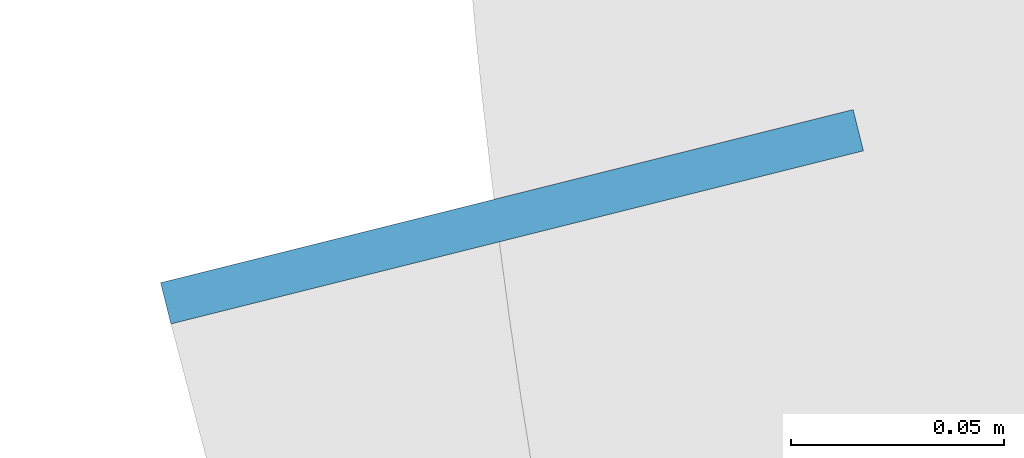
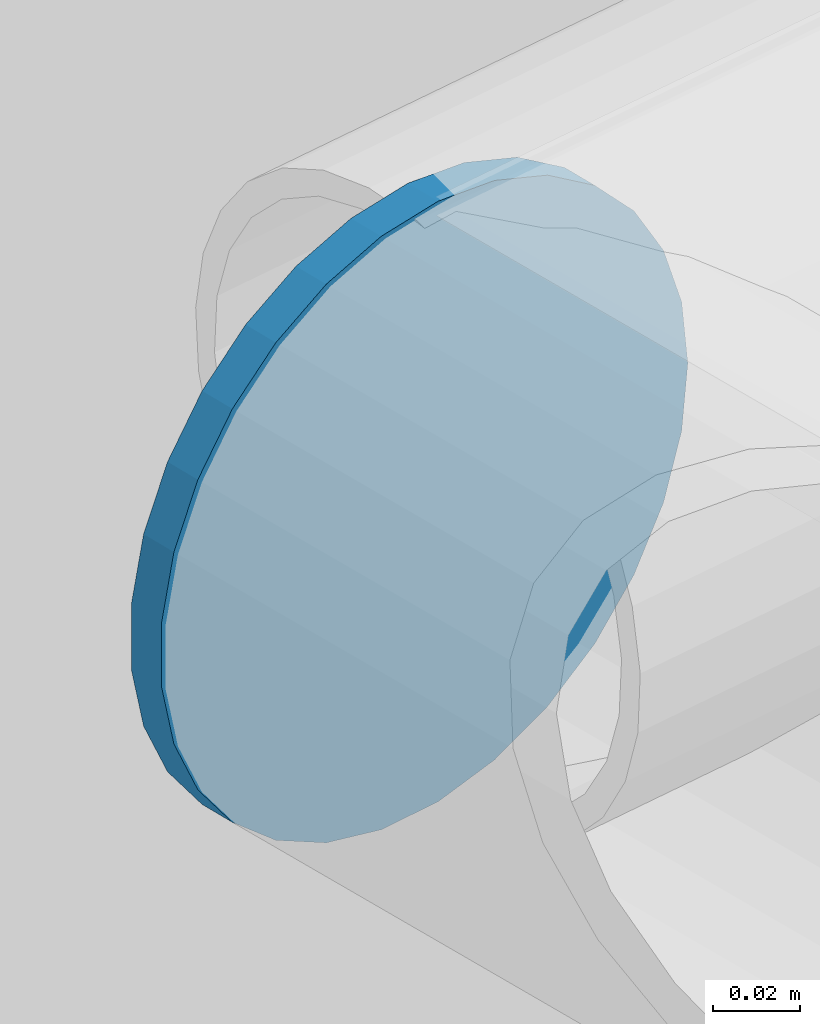
# One storey, part 204 of 226: 1 discrete accessory.
"""IFC4 building model written with IfcOpenShell, lengths in metres."""

from ifc_helpers import new_model, si_unit, direction, frame, origin, origin_2d, place, context, subcontext, project, spatial, circle, extrude, material, material_profile, profile_set, type_object, element, save


model = new_model("IFC4")

# Units and contexts
model_context = context("Model", 3, precision=1e-05, world=origin(), true_north=direction((0.0, 1.0)))
body_context = subcontext(model_context, "Body", "Model", "MODEL_VIEW")
ifc_project = project(units=[si_unit("LENGTHUNIT", "METRE"), si_unit("AREAUNIT", "SQUARE_METRE"), si_unit("VOLUMEUNIT", "CUBIC_METRE"), si_unit("PLANEANGLEUNIT", "RADIAN"), si_unit("MASSUNIT", "GRAM", prefix="KILO")], contexts=[model_context])

# Site, building, storey
site_placement = place(None, origin())
site = spatial("IfcSite", under=ifc_project, at=site_placement, CompositionType="ELEMENT")
building_placement = place(site_placement, origin())
building = spatial("IfcBuilding", under=site, at=building_placement, Name="Ceibo Conservatory and Research Tower", CompositionType="ELEMENT")
storey_placement = place(building_placement, origin())
storey = spatial("IfcBuildingStorey", under=building, at=storey_placement, Name="L00", CompositionType="ELEMENT", Elevation=0.0)

# Discrete accessory
ifc_material = material(Name="Steel S355J2", Category="steel")
ifc_material_profile = material_profile(ifc_material, circle(Radius=0.084228515625, at=origin_2d()), Name="End plate PL D168.3x8")
ifc_profile_set = profile_set([ifc_material_profile], Name="Steel S355J2")
discrete_accessory_type = type_object("IfcDiscreteAccessoryType", Name="End plate PL D168.3x8", PredefinedType="USERDEFINED", material=ifc_profile_set)
discrete_accessory_placement = place(storey_placement, frame((113.341796875, 102.581298828125, 3.863525390625), z_axis=(0.242535625036, -0.970142500145, 0.0), x_axis=(0.970142500145, 0.242535625036, 0.0)))
element("IfcDiscreteAccessory", 1, at=discrete_accessory_placement, inside=storey, type_object=discrete_accessory_type, Name="Brim tip ring A-TR16 end plate", ObjectType="End plate", PredefinedType="USERDEFINED", context=body_context, shape_type="SweptSolid", body=[
    extrude(circle(Radius=0.084228515625, at=origin_2d()), origin(), (0.0, 0.0, 1.0), 0.010009765625),
])

save(model, "model.ifc")
